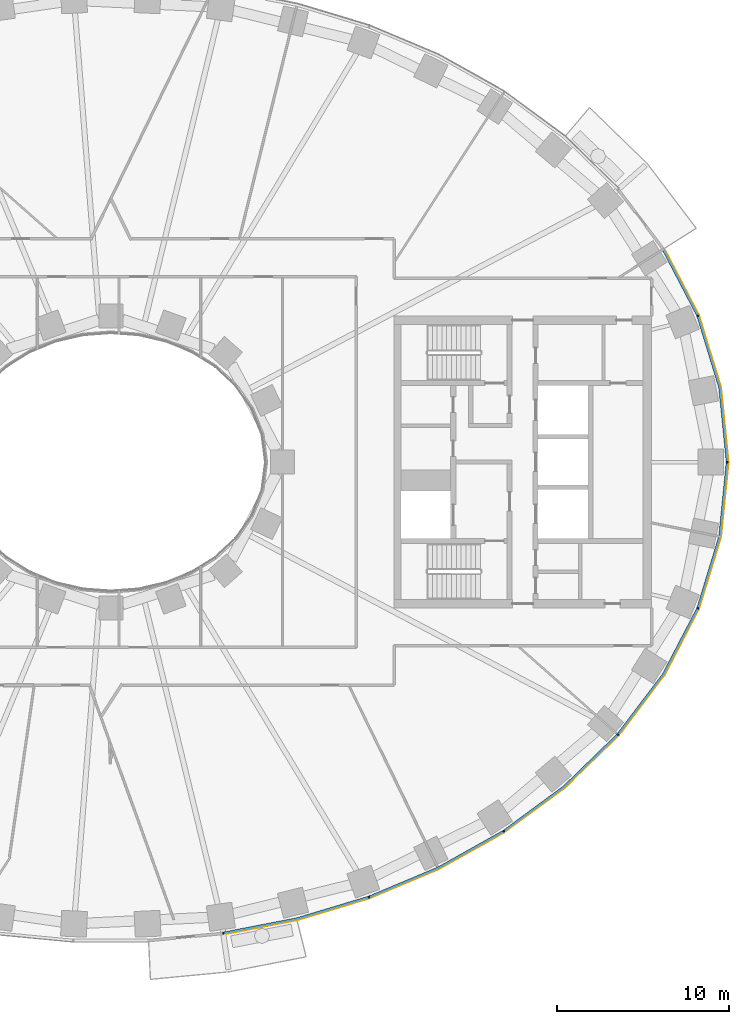
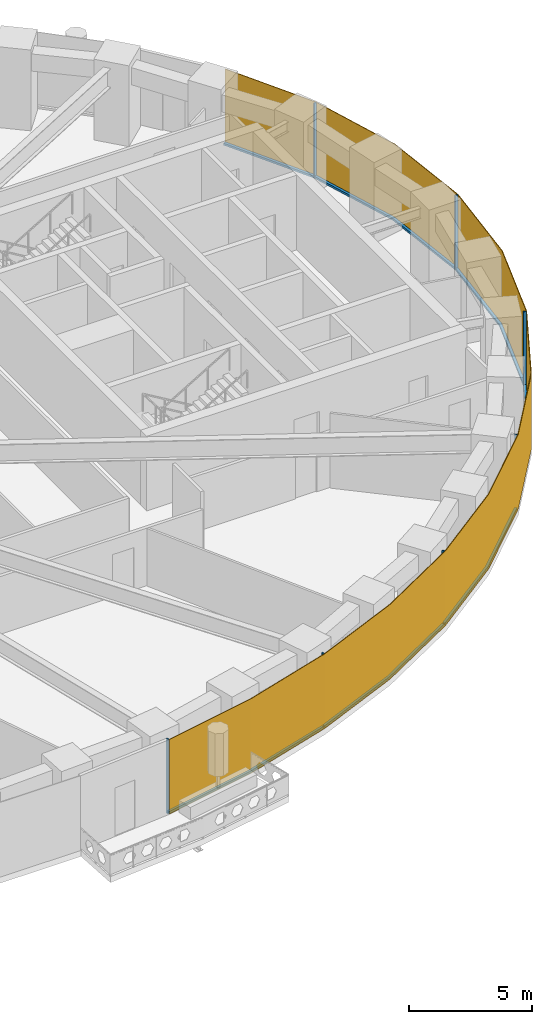
# One storey, part 10 of 16: 14 members, 1 curtain wall.
"""IFC4 building model written with IfcOpenShell, lengths in metres."""

from ifc_helpers import new_model, si_unit, direction, frame, origin, origin_2d, place, context, subcontext, project, spatial, polyline, rectangle, outline, extrude, material, layer, layer_set, material_profile, profile_set, type_object, element, aggregate, save


model = new_model("IFC4")

# Units and contexts
model_context = context("Model", 3, precision=1e-05, world=origin(), true_north=direction((0.0, 1.0)))
body_context = subcontext(model_context, "Body", "Model", "MODEL_VIEW")
ifc_project = project(units=[si_unit("LENGTHUNIT", "METRE"), si_unit("AREAUNIT", "SQUARE_METRE"), si_unit("VOLUMEUNIT", "CUBIC_METRE"), si_unit("PLANEANGLEUNIT", "RADIAN"), si_unit("MASSUNIT", "GRAM", prefix="KILO")], contexts=[model_context])

# Member
ifc_material_1 = material(Name="Aluminium 6063-T6 black anodised", Category="aluminium")
ifc_material_profile = material_profile(ifc_material_1, rectangle(XDim=0.1201171875, YDim=0.06005859375, at=origin_2d()), Name="120x60")
ifc_profile_set = profile_set([ifc_material_profile], Name="Aluminium 6063-T6 black anodised")
member_type_1 = type_object("IfcMemberType", Name="ENV-MULLION-A-120", PredefinedType="MULLION", material=ifc_profile_set)
site_placement = place(None, origin())
building_placement = place(site_placement, origin())
storey_placement = place(building_placement, frame((0.0, 0.0, 54.5)))
member_1_placement = place(storey_placement, frame((6.54638671875, -27.440185546875, 0.0), z_axis=(0.0, 0.0, 1.0), x_axis=(-0.143082012705, 0.989710835366, 0.0)))
member_1 = element("IfcMember", 1, at=member_1_placement, type_object=member_type_1, Name="Mullion A radial 37", PredefinedType="MULLION", context=body_context, shape_type="SweptSolid", body=[
    extrude(rectangle(XDim=0.1201171875, YDim=0.06005859375, at=origin_2d()), origin(), (0.0, 0.0, 1.0), 3.699951171875),
])

member_2_placement = place(storey_placement, frame((15.0341796875, -25.34375, 0.0), z_axis=(0.0, 0.0, 1.0), x_axis=(-0.338379256581, 0.941009818608, 0.0)))
member_2 = element("IfcMember", 2, at=member_2_placement, type_object=member_type_1, Name="Mullion A radial 39", PredefinedType="MULLION", context=body_context, shape_type="SweptSolid", body=[
    extrude(rectangle(XDim=0.1201171875, YDim=0.06005859375, at=origin_2d()), origin(), (0.0, 0.0, 1.0), 3.699951171875),
])

member_3_placement = place(storey_placement, frame((22.882568359375, -21.506591796875, 0.0), z_axis=(0.0, 0.0, 1.0), x_axis=(-0.542279153225, 0.840198381323, 0.0)))
member_3 = element("IfcMember", 3, at=member_3_placement, type_object=member_type_1, Name="Mullion A radial 41", PredefinedType="MULLION", context=body_context, shape_type="SweptSolid", body=[
    extrude(rectangle(XDim=0.1201171875, YDim=0.06005859375, at=origin_2d()), origin(), (0.0, 0.0, 1.0), 3.699951171875),
])

member_4_placement = place(storey_placement, frame((29.53857421875, -15.8671875, 0.0), z_axis=(0.0, 0.0, 1.0), x_axis=(-0.749047221705, 0.662516610853, 0.0)))
member_4 = element("IfcMember", 4, at=member_4_placement, type_object=member_type_1, Name="Mullion A radial 43", PredefinedType="MULLION", context=body_context, shape_type="SweptSolid", body=[
    extrude(rectangle(XDim=0.1201171875, YDim=0.06005859375, at=origin_2d()), origin(), (0.0, 0.0, 1.0), 3.699951171875),
])

member_5_placement = place(storey_placement, frame((34.19580078125, -8.513916015625, 0.0), z_axis=(0.0, 0.0, 1.0), x_axis=(-0.92546738067, 0.378827305398, 0.0)))
member_5 = element("IfcMember", 5, at=member_5_placement, type_object=member_type_1, Name="Mullion A radial 45", PredefinedType="MULLION", context=body_context, shape_type="SweptSolid", body=[
    extrude(rectangle(XDim=0.1201171875, YDim=0.06005859375, at=origin_2d()), origin(), (0.0, 0.0, 1.0), 3.699951171875),
])

member_6_placement = place(storey_placement, frame((35.907958984375, 0.0, 0.0), z_axis=(0.0, 0.0, 1.0), x_axis=(-1.0, 0.0, 0.0)))
member_6 = element("IfcMember", 6, at=member_6_placement, type_object=member_type_1, Name="Mullion A radial 01", PredefinedType="MULLION", context=body_context, shape_type="SweptSolid", body=[
    extrude(rectangle(XDim=0.1201171875, YDim=0.06005859375, at=origin_2d()), origin(), (0.0, 0.0, 1.0), 3.699951171875),
])

member_7_placement = place(storey_placement, frame((34.19580078125, 8.513916015625, 0.0), z_axis=(0.0, 0.0, 1.0), x_axis=(-0.92546738067, -0.378827305398, 0.0)))
member_7 = element("IfcMember", 7, at=member_7_placement, type_object=member_type_1, Name="Mullion A radial 03", PredefinedType="MULLION", context=body_context, shape_type="SweptSolid", body=[
    extrude(rectangle(XDim=0.1201171875, YDim=0.06005859375, at=origin_2d()), origin(), (0.0, 0.0, 1.0), 3.699951171875),
])

ifc_material_2 = material(Name="Aluminium 6063-T6 black anodised", Category="aluminium")
member_type_2 = type_object("IfcMemberType", Name="ENV-TRANSOM-A", PredefinedType="USERDEFINED", material=ifc_material_2)
member_8_placement = place(storey_placement, origin())
member_8 = element("IfcMember", 8, at=member_8_placement, type_object=member_type_2, Name="Transom A radial 37-39", ObjectType="TRANSOM", PredefinedType="USERDEFINED", context=body_context, shape_type="SweptSolid", body=[
    extrude(outline(polyline([(6.58251953125, -27.494140625), (10.857666015625, -26.6630859375), (15.027587890625, -25.408203125), (14.987060546875, -25.295166015625), (10.828857421875, -26.54638671875), (6.5654296875, -27.375244140625), (6.58251953125, -27.494140625)])), origin(), (0.0, 0.0, 1.0), 0.10009765625),
])

member_9_placement = place(storey_placement, origin())
member_9 = element("IfcMember", 9, at=member_9_placement, type_object=member_type_2, Name="Transom A radial 39-41", ObjectType="TRANSOM", PredefinedType="USERDEFINED", context=body_context, shape_type="SweptSolid", body=[
    extrude(outline(polyline([(15.080322265625, -25.389404296875), (19.093994140625, -23.701416015625), (22.890625, -21.570556640625), (22.825439453125, -21.469482421875), (19.041259765625, -23.593505859375), (15.03955078125, -25.276123046875), (15.080322265625, -25.389404296875)])), origin(), (0.0, 0.0, 1.0), 0.10009765625),
])

member_10_placement = place(storey_placement, origin())
member_10 = element("IfcMember", 10, at=member_10_placement, type_object=member_type_2, Name="Transom A radial 41-43", ObjectType="TRANSOM", PredefinedType="USERDEFINED", context=body_context, shape_type="SweptSolid", body=[
    extrude(outline(polyline([(22.937744140625, -21.540283203125), (26.4423828125, -18.958740234375), (29.5634765625, -15.926513671875), (29.473388671875, -15.8466796875), (26.364501953125, -18.866943359375), (22.87255859375, -21.439208984375), (22.937744140625, -21.540283203125)])), origin(), (0.0, 0.0, 1.0), 0.10009765625),
])

member_11_placement = place(storey_placement, origin())
member_11 = element("IfcMember", 11, at=member_11_placement, type_object=member_type_2, Name="Transom A radial 43-45", ObjectType="TRANSOM", PredefinedType="USERDEFINED", context=body_context, shape_type="SweptSolid", body=[
    extrude(outline(polyline([(29.6005859375, -15.884521484375), (32.22802734375, -12.41748046875), (34.23828125, -8.5615234375), (34.126708984375, -8.515869140625), (32.126220703125, -12.35302734375), (29.51025390625, -15.8046875), (29.6005859375, -15.884521484375)])), origin(), (0.0, 0.0, 1.0), 0.10009765625),
])

member_12_placement = place(storey_placement, origin())
member_12 = element("IfcMember", 12, at=member_12_placement, type_object=member_type_2, Name="Transom A radial 45-01", ObjectType="TRANSOM", PredefinedType="USERDEFINED", context=body_context, shape_type="SweptSolid", body=[
    extrude(outline(polyline([(34.259521484375, -8.509765625), (35.529541015625, -4.352294921875), (35.965087890625, -0.02783203125), (35.844482421875, -0.02783203125), (35.411376953125, -4.32861328125), (34.14794921875, -8.464111328125), (34.259521484375, -8.509765625)])), origin(), (0.0, 0.0, 1.0), 0.10009765625),
])

member_13_placement = place(storey_placement, origin())
member_13 = element("IfcMember", 13, at=member_13_placement, type_object=member_type_2, Name="Transom A radial 01-03", ObjectType="TRANSOM", PredefinedType="USERDEFINED", context=body_context, shape_type="SweptSolid", body=[
    extrude(outline(polyline([(35.965087890625, 0.02783203125), (35.529541015625, 4.352294921875), (34.259521484375, 8.509765625), (34.14794921875, 8.464111328125), (35.411376953125, 4.32861328125), (35.844482421875, 0.02783203125), (35.965087890625, 0.02783203125)])), origin(), (0.0, 0.0, 1.0), 0.10009765625),
])

member_14_placement = place(storey_placement, origin())
member_14 = element("IfcMember", 14, at=member_14_placement, type_object=member_type_2, Name="Transom A radial 03-04", ObjectType="TRANSOM", PredefinedType="USERDEFINED", context=body_context, shape_type="SweptSolid", body=[
    extrude(outline(polyline([(34.23828125, 8.5615234375), (32.2373046875, 12.39990234375), (32.135498046875, 12.33544921875), (34.126708984375, 8.515869140625), (34.23828125, 8.5615234375)])), origin(), (0.0, 0.0, 1.0), 0.10009765625),
])

# Site, building, storey
site = spatial("IfcSite", under=ifc_project, at=site_placement, CompositionType="ELEMENT")
building = spatial("IfcBuilding", under=site, at=building_placement, Name="Noorbagh Ring Tower", CompositionType="ELEMENT")
storey = spatial("IfcBuildingStorey", under=building, at=storey_placement, Name="L11", CompositionType="ELEMENT", Elevation=54.5)

# Curtain wall
ifc_material_3 = material(Name="Glass dark tinted laminated", Category="glass")
ifc_layer = layer(ifc_material_3, 0.031982421875)
ifc_layer_set = layer_set([ifc_layer], Name="Glass dark tinted laminated")
curtain_wall_type = type_object("IfcCurtainWallType", Name="ENV-CW-A", PredefinedType="NOTDEFINED", material=ifc_layer_set)
curtain_wall_placement = place(storey_placement, origin())
curtain_wall = element("IfcCurtainWall", 15, at=curtain_wall_placement, inside=storey, type_object=curtain_wall_type, Name="Curtain wall A R37", PredefinedType="NOTDEFINED", context=body_context, shape_type="SweptSolid", body=[
    extrude(outline(polyline([(6.579345703125, -27.52734375), (10.865234375, -26.6943359375), (15.065185546875, -25.430419921875), (19.108154296875, -23.730224609375), (22.9326171875, -21.583740234375), (26.463134765625, -18.9833984375), (29.607666015625, -15.927978515625), (32.255126953125, -12.434814453125), (34.281005859375, -8.548828125), (35.561279296875, -4.358642578125), (36.0, 0.0), (35.561279296875, 4.358642578125), (34.281005859375, 8.548828125), (32.264404296875, 12.4169921875), (32.2373046875, 12.39990234375), (34.251220703125, 8.53662109375), (35.529541015625, 4.352294921875), (35.9677734375, 0.0), (35.529541015625, -4.352294921875), (34.251220703125, -8.53662109375), (32.22802734375, -12.41748046875), (29.58349609375, -15.906982421875), (26.4423828125, -18.958740234375), (22.9150390625, -21.556884765625), (19.093994140625, -23.701416015625), (15.054443359375, -25.400146484375), (10.857666015625, -26.6630859375), (6.57470703125, -27.49560546875), (6.579345703125, -27.52734375)])), origin(), (0.0, 0.0, 1.0), 3.699951171875),
])

aggregate(curtain_wall, [member_1, member_2, member_3, member_4, member_5, member_6, member_7, member_8, member_9, member_10, member_11, member_12, member_13, member_14])

save(model, "model.ifc")
